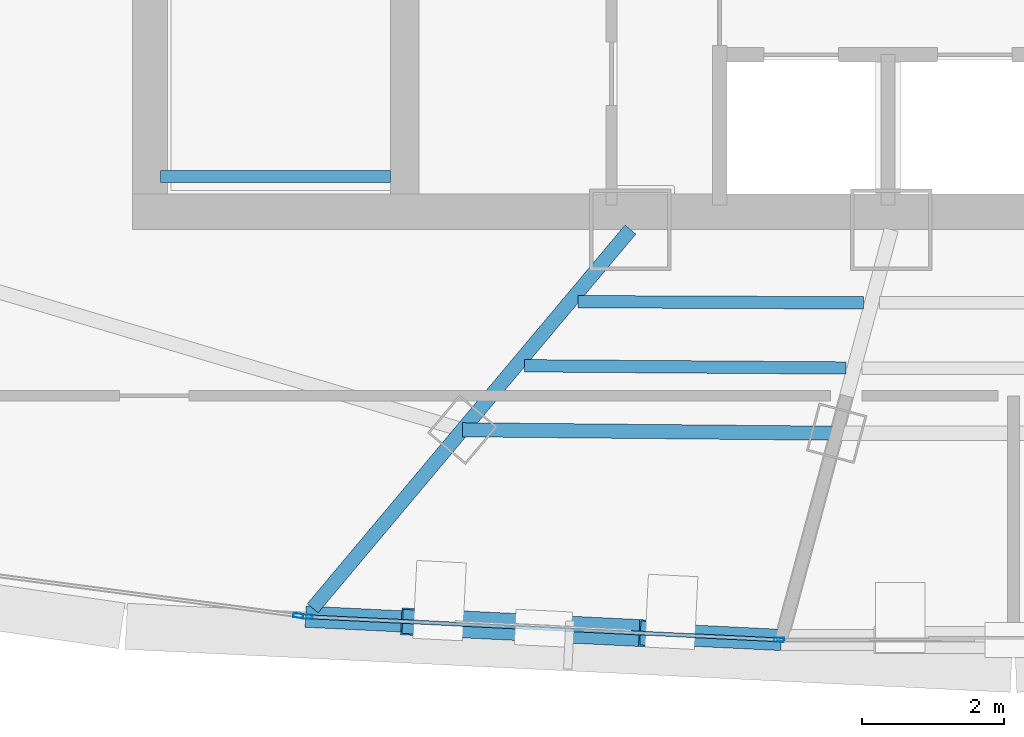
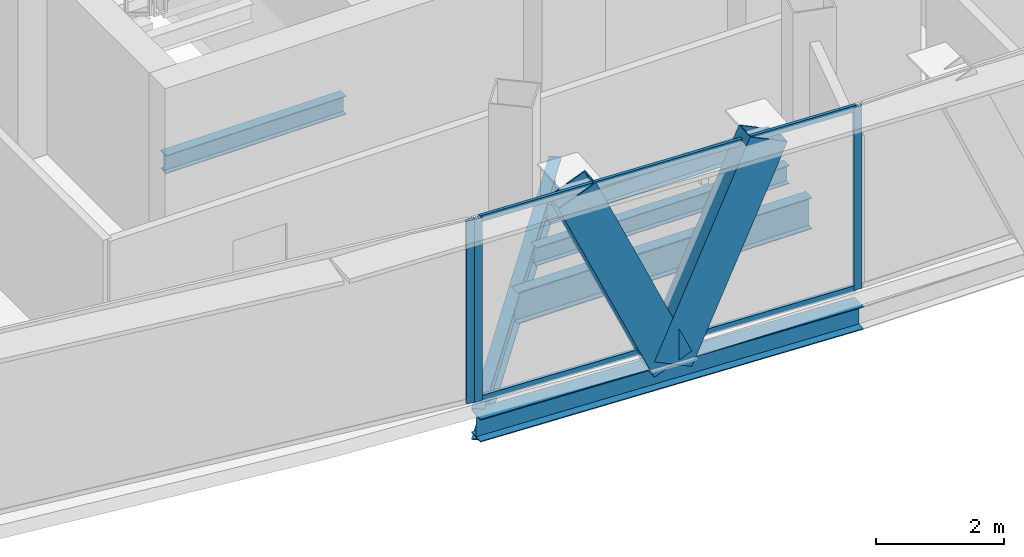
# One storey, part 4 of 27: 7 members, 6 beams, 2 elements without a shape of their own.
"""IFC4 building model written with IfcOpenShell, lengths in metres."""

from ifc_helpers import new_model, si_unit, direction, frame, origin, origin_2d, place, context, subcontext, project, spatial, hollow_rectangle, i_section, extrude, source, transform, mapped, material, layer, layer_set, material_profile, profile_set, type_object, element, aggregate, save


model = new_model("IFC4")

# Units and contexts
model_context = context("Model", 3, precision=1e-05, world=origin(), true_north=direction((0.0, 1.0)))
body_context = subcontext(model_context, "Body", "Model", "MODEL_VIEW")
ifc_project = project(units=[si_unit("LENGTHUNIT", "METRE"), si_unit("AREAUNIT", "SQUARE_METRE"), si_unit("VOLUMEUNIT", "CUBIC_METRE"), si_unit("PLANEANGLEUNIT", "RADIAN"), si_unit("MASSUNIT", "GRAM", prefix="KILO"), si_unit("THERMODYNAMICTEMPERATUREUNIT", "KELVIN"), si_unit("POWERUNIT", "WATT")], contexts=[model_context])

# Site, building, storey
site_placement = place(None, origin())
site = spatial("IfcSite", under=ifc_project, at=site_placement, CompositionType="ELEMENT")
building_placement = place(site_placement, origin())
building = spatial("IfcBuilding", under=site, at=building_placement, Name="Yunzhuo Pagoda Commons", CompositionType="ELEMENT")
storey_placement = place(building_placement, frame((0.0, 0.0, 344.260009765625)))
storey = spatial("IfcBuildingStorey", under=building, at=storey_placement, Name="L86", CompositionType="ELEMENT", Elevation=344.260009765625)

# Beams
ifc_material_1 = material(Name="Structural steel Q355B", Category="steel")
ifc_material_profile_1 = material_profile(ifc_material_1, i_section(OverallWidth=0.175048828125, OverallDepth=0.35009765625, WebThickness=0.007080078125, FlangeThickness=0.010986328125, at=origin_2d()), Name="Structural steel Q355B")
ifc_profile_set_1 = profile_set([ifc_material_profile_1], Name="Structural steel Q355B")
beam_type_1 = type_object("IfcBeamType", Name="B-JS2 Joist HN 350x175x7x11", PredefinedType="JOIST", material=ifc_profile_set_1)
shared_shape_1 = source(origin(), body_context, "Body", "SweptSolid", [
    extrude(i_section(OverallWidth=0.175048828125, OverallDepth=0.35009765625, WebThickness=0.007080078125, FlangeThickness=0.010986328125, at=origin_2d()), origin(), (0.0, 0.0, 1.0), 3.25),
])
beam_1_placement = place(storey_placement, frame((35.949951171875, 28.0, 1.5), z_axis=(1.0, 0.0, 0.0), x_axis=(0.0, 1.0, 0.0)))
element("IfcBeam", 1, at=beam_1_placement, inside=storey, type_object=beam_type_1, Name="L86 ST1 landing support beam 92A", PredefinedType="JOIST", context=body_context, shape_type="MappedRepresentation", body=[
    mapped(shared_shape_1, transform((0.0, 0.0, 0.0), scale=1.0)),
])
ifc_material_profile_2 = material_profile(ifc_material_1, i_section(OverallWidth=0.199951171875, OverallDepth=0.60009765625, WebThickness=0.010986328125, FlangeThickness=0.01708984375, at=origin_2d()), Name="Structural steel Q355B")
ifc_profile_set_2 = profile_set([ifc_material_profile_2], Name="Structural steel Q355B")
beam_type_2 = type_object("IfcBeamType", Name="B-RG3 Beam HN 600x200x11x17", PredefinedType="BEAM", material=ifc_profile_set_2)
shared_shape_2 = source(origin(), body_context, "Body", "SweptSolid", [
    extrude(i_section(OverallWidth=0.199951171875, OverallDepth=0.60009765625, WebThickness=0.010986328125, FlangeThickness=0.01708984375, at=origin_2d()), origin(), (0.0, 0.0, 1.0), 5.286376953125),
])
beam_2_placement = place(storey_placement, frame((40.214599609375, 24.421630859375, -0.56005859375), z_axis=(0.999957341442, -0.009236627946, 0.0), x_axis=(0.009236627946, 0.999957341442, 0.0)))
element("IfcBeam", 2, at=beam_2_placement, inside=storey, type_object=beam_type_2, Name="L86 column-ring beam 1", PredefinedType="BEAM", context=body_context, shape_type="MappedRepresentation", body=[
    mapped(shared_shape_2, transform((0.0, 0.0, 0.0), scale=1.0)),
])
shared_shape_3 = source(origin(), body_context, "Body", "SweptSolid", [
    extrude(i_section(OverallWidth=0.175048828125, OverallDepth=0.35009765625, WebThickness=0.007080078125, FlangeThickness=0.010986328125, at=origin_2d()), origin(), (0.0, 0.0, 1.0), 4.03076171875),
])
beam_3_placement = place(storey_placement, frame((41.848388671875, 26.231201171875, -0.43505859375), z_axis=(0.999991518197, -0.004118680996, 0.0), x_axis=(0.004118680996, 0.999991518197, 0.0)))
element("IfcBeam", 3, at=beam_3_placement, inside=storey, type_object=beam_type_1, Name="L86 composite ring joist 1.1", PredefinedType="JOIST", context=body_context, shape_type="MappedRepresentation", body=[
    mapped(shared_shape_3, transform((0.0, 0.0, 0.0), scale=1.0)),
])
shared_shape_4 = source(origin(), body_context, "Body", "SweptSolid", [
    extrude(i_section(OverallWidth=0.175048828125, OverallDepth=0.35009765625, WebThickness=0.007080078125, FlangeThickness=0.010986328125, at=origin_2d()), origin(), (0.0, 0.0, 1.0), 4.54345703125),
])
beam_4_placement = place(storey_placement, frame((41.089111328125, 25.325927734375, -0.43505859375), z_axis=(0.999975976237, -0.006931590593, 0.0), x_axis=(0.006931590593, 0.999975976237, 0.0)))
element("IfcBeam", 4, at=beam_4_placement, inside=storey, type_object=beam_type_1, Name="L86 composite ring joist 2.1", PredefinedType="JOIST", context=body_context, shape_type="MappedRepresentation", body=[
    mapped(shared_shape_4, transform((0.0, 0.0, 0.0), scale=1.0)),
])
shared_shape_5 = source(origin(), body_context, "Body", "SweptSolid", [
    extrude(i_section(OverallWidth=0.199951171875, OverallDepth=0.60009765625, WebThickness=0.010986328125, FlangeThickness=0.01708984375, at=origin_2d()), origin(), (0.0, 0.0, 1.0), 6.983642578125),
])
beam_5_placement = place(storey_placement, frame((38.098876953125, 21.900390625, -0.56005859375), z_axis=(0.642800921459, 0.766033273019, 0.0), x_axis=(-0.766033273019, 0.642800921459, 0.0)))
element("IfcBeam", 5, at=beam_5_placement, inside=storey, type_object=beam_type_2, Name="L86 radial floor girder F1C1", PredefinedType="BEAM", context=body_context, shape_type="MappedRepresentation", body=[
    mapped(shared_shape_5, transform((0.0, 0.0, 0.0), scale=1.0)),
])
ifc_material_profile_3 = material_profile(ifc_material_1, i_section(OverallWidth=0.300048828125, OverallDepth=0.43994140625, WebThickness=0.010986328125, FlangeThickness=0.01806640625, at=origin_2d()), Name="Structural steel Q355B")
ifc_profile_set_3 = profile_set([ifc_material_profile_3], Name="Structural steel Q355B")
beam_type_3 = type_object("IfcBeamType", Name="B-SP2 Beam HM 440x300x11x18", PredefinedType="BEAM", material=ifc_profile_set_3)
shared_shape_6 = source(origin(), body_context, "Body", "SweptSolid", [
    extrude(i_section(OverallWidth=0.300048828125, OverallDepth=0.43994140625, WebThickness=0.010986328125, FlangeThickness=0.01806640625, at=origin_2d()), origin(), (0.0, 0.0, 1.0), 6.727294921875),
])
beam_6_placement = place(storey_placement, frame((37.9990234375, 21.781494140625, -0.47998046875), z_axis=(0.998802682638, -0.048920355214, 0.0), x_axis=(0.048920355214, 0.998802682638, 0.0)))
element("IfcBeam", 6, at=beam_6_placement, inside=storey, type_object=beam_type_3, Name="L86 facade edge spandrel beam F1.1", PredefinedType="BEAM", context=body_context, shape_type="MappedRepresentation", body=[
    mapped(shared_shape_6, transform((0.0, 0.0, 0.0), scale=1.0)),
])

# Members
ifc_material_profile_4 = material_profile(ifc_material_1, hollow_rectangle(XDim=0.3798828125, YDim=0.719970703125, WallThickness=0.02001953125, at=origin_2d()), Name="Structural steel Q355B")
ifc_profile_set_4 = profile_set([ifc_material_profile_4], Name="Structural steel Q355B")
member_type_1 = type_object("IfcMemberType", Name="M-DL3 Brace BOX 720x380x20", PredefinedType="BRACE", material=ifc_profile_set_4)
shared_shape_7 = source(origin(), body_context, "Body", "SweptSolid", [
    extrude(hollow_rectangle(XDim=0.3798828125, YDim=0.719970703125, WallThickness=0.02001953125, at=origin_2d()), origin(), (0.0, 0.0, 1.0), 4.10986328125),
])
for number, where, z_axis, x_axis, name in (
    (7, (41.358642578125, 21.616943359375, -0.260009765625), (-0.408701002584, 0.020019220621, 0.912448749954), (-0.048923901963, -0.998802508916, 0.0), "L86 facade diamond brace F1.1L"),
    (8, (41.358642578125, 21.616943359375, -0.260009765625), (0.408750482324, -0.020018734565, 0.912426596207), (0.048916808978, 0.998802856323, 0.0), "L86 facade diamond brace F1.1R"),
):
    element("IfcMember", number, at=place(storey_placement, frame(where, z_axis=z_axis, x_axis=x_axis)), inside=storey, type_object=member_type_1, Name=name, PredefinedType="BRACE", context=body_context, shape_type="MappedRepresentation", body=[
        mapped(shared_shape_7, transform((0.0, 0.0, 0.0), scale=1.0)),
    ])

# Curtain wall, members
ifc_material_2 = material(Name="Anodized aluminium 6063-T6", Category="aluminium")
ifc_layer = layer(ifc_material_2, 0.139892578125)
ifc_layer_set = layer_set([ifc_layer], Name="Anodized aluminium 6063-T6")
curtain_wall_type = type_object("IfcCurtainWallType", Name="CW-HI High-Zone Ribbon Curtain Wall", PredefinedType="NOTDEFINED", material=ifc_layer_set)
curtain_wall_1_placement = place(storey_placement, origin())
curtain_wall_1 = element("IfcCurtainWall", 9, at=curtain_wall_1_placement, inside=storey, type_object=curtain_wall_type, Name="L86 curtain wall CW-L86-F1B2", PredefinedType="NOTDEFINED")
ifc_material_profile_5 = material_profile(ifc_material_2, hollow_rectangle(XDim=0.06005859375, YDim=0.139892578125, WallThickness=0.00341796875, at=origin_2d()), Name="Anodized aluminium 6063-T6")
ifc_profile_set_5 = profile_set([ifc_material_profile_5], Name="Anodized aluminium 6063-T6")
member_type_2 = type_object("IfcMemberType", Name="CW-HI-M Mullion RHS 140x60x3.5", PredefinedType="MULLION", material=ifc_profile_set_5)
shared_shape_8 = source(origin(), body_context, "Body", "SweptSolid", [
    extrude(hollow_rectangle(XDim=0.06005859375, YDim=0.139892578125, WallThickness=0.00341796875, at=origin_2d()), origin(), (0.0, 0.0, 1.0), 3.489990234375),
])
member_1_placement = place(storey_placement, frame((38.029052734375, 21.780029296875, 0.0), z_axis=(0.0, 0.0, 1.0), x_axis=(0.048905572213, 0.998803406585, 0.0)))
member_1 = element("IfcMember", 10, at=member_1_placement, type_object=member_type_2, Name="CW mullion 1", PredefinedType="MULLION", context=body_context, shape_type="MappedRepresentation", body=[
    mapped(shared_shape_8, transform((0.0, 0.0, 0.0), scale=1.0)),
])
member_2_placement = place(storey_placement, frame((44.688232421875, 21.453857421875, 0.0), z_axis=(0.0, 0.0, 1.0), x_axis=(0.048905572213, 0.998803406585, 0.0)))
member_2 = element("IfcMember", 11, at=member_2_placement, type_object=member_type_2, Name="CW mullion 2", PredefinedType="MULLION", context=body_context, shape_type="MappedRepresentation", body=[
    mapped(shared_shape_8, transform((0.0, 0.0, 0.0), scale=1.0)),
])

# Curtain wall, member
curtain_wall_2_placement = place(storey_placement, origin())
curtain_wall_2 = element("IfcCurtainWall", 12, at=curtain_wall_2_placement, inside=storey, type_object=curtain_wall_type, Name="L86 curtain wall CW-L86-F1B1", PredefinedType="NOTDEFINED")
member_3_placement = place(storey_placement, frame((37.895263671875, 21.795166015625, 0.0), z_axis=(0.0, 0.0, 1.0), x_axis=(0.132068741636, 0.991240559845, 0.0)))
member_3 = element("IfcMember", 13, at=member_3_placement, type_object=member_type_2, Name="CW mullion 2", PredefinedType="MULLION", context=body_context, shape_type="MappedRepresentation", body=[
    mapped(shared_shape_8, transform((0.0, 0.0, 0.0), scale=1.0)),
])
aggregate(curtain_wall_2, [member_3])

# Member
ifc_material_profile_6 = material_profile(ifc_material_2, hollow_rectangle(XDim=0.054931640625, YDim=0.1201171875, WallThickness=0.00341796875, at=origin_2d()), Name="Anodized aluminium 6063-T6")
ifc_profile_set_6 = profile_set([ifc_material_profile_6], Name="Anodized aluminium 6063-T6")
member_type_3 = type_object("IfcMemberType", Name="CW-HI-T Transom RHS 120x55x3.5", PredefinedType="USERDEFINED", material=ifc_profile_set_6)
shared_shape_9 = source(origin(), body_context, "Body", "SweptSolid", [
    extrude(hollow_rectangle(XDim=0.054931640625, YDim=0.1201171875, WallThickness=0.00341796875, at=origin_2d()), origin(), (0.0, 0.0, 1.0), 6.607177734375),
])
member_4_placement = place(storey_placement, frame((38.05908203125, 21.77880859375, 0.027587890625), z_axis=(0.998800788533, -0.048959011683, 0.0), x_axis=(0.048959011683, 0.998800788533, 0.0)))
member_4 = element("IfcMember", 14, at=member_4_placement, type_object=member_type_3, Name="CW transom 1.1", ObjectType="TRANSOM", PredefinedType="USERDEFINED", context=body_context, shape_type="MappedRepresentation", body=[
    mapped(shared_shape_9, transform((0.0, 0.0, 0.0), scale=1.0)),
])

member_5_placement = place(storey_placement, frame((38.05908203125, 21.77880859375, 3.46240234375), z_axis=(0.998800788533, -0.048959011683, 0.0), x_axis=(0.048959011683, 0.998800788533, 0.0)))
member_5 = element("IfcMember", 15, at=member_5_placement, type_object=member_type_3, Name="CW transom 1.2", ObjectType="TRANSOM", PredefinedType="USERDEFINED", context=body_context, shape_type="MappedRepresentation", body=[
    mapped(shared_shape_9, transform((0.0, 0.0, 0.0), scale=1.0)),
])

aggregate(curtain_wall_1, [member_1, member_2, member_4, member_5])

save(model, "model.ifc")
